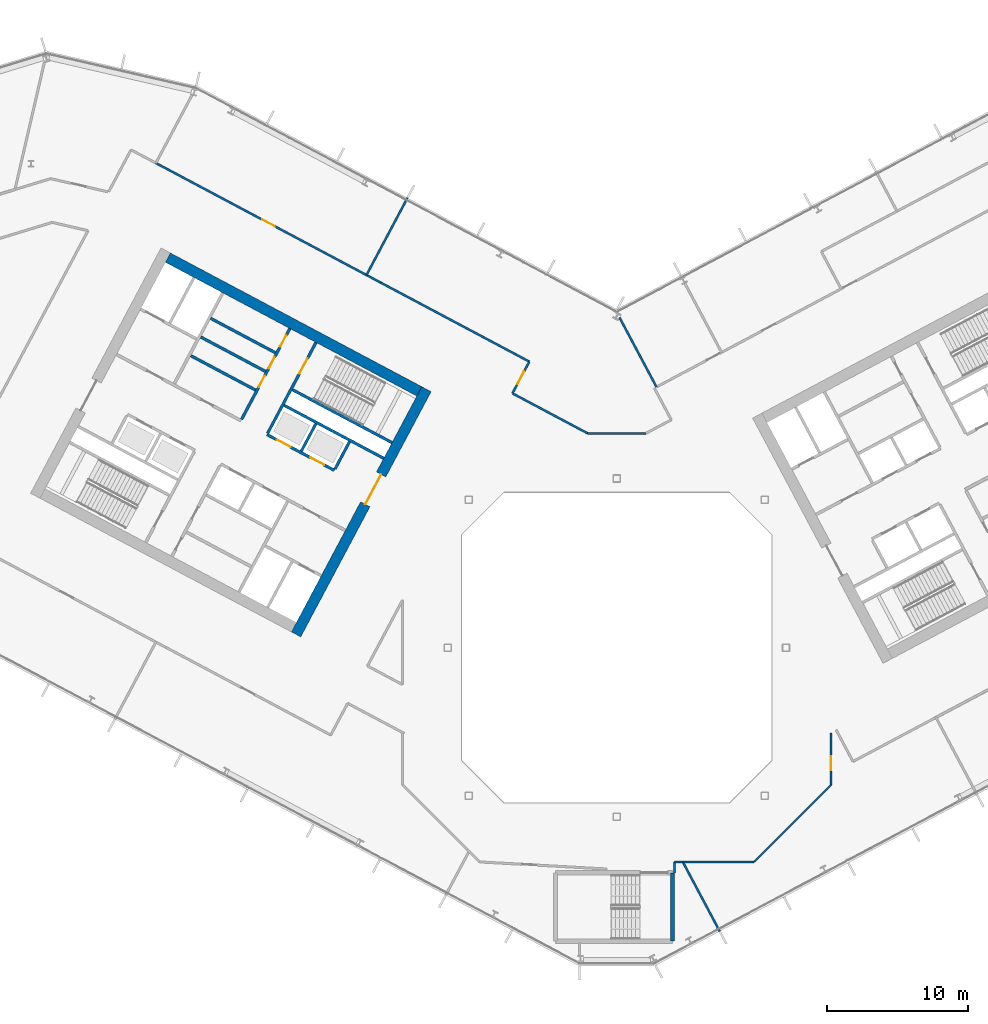
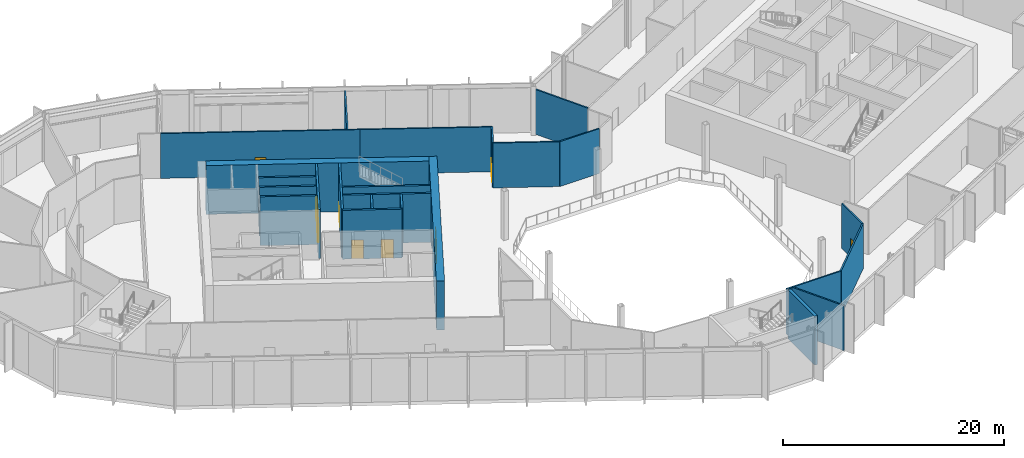
# One storey, part 15 of 31: 26 walls, 10 doors, 10 openings.
"""IFC4 building model written with IfcOpenShell, lengths in metres."""

from ifc_helpers import new_model, si_unit, direction, frame, frame_2d, origin, place, context, subcontext, project, spatial, rectangle, extrude, material, layer, layer_set, type_object, element, fill, save


model = new_model("IFC4")

# Units and contexts
model_context = context("Model", 3, precision=1e-05, world=origin(), true_north=direction((0.0, 1.0)))
body_context = subcontext(model_context, "Body", "Model", "MODEL_VIEW")
ifc_project = project(units=[si_unit("LENGTHUNIT", "METRE"), si_unit("AREAUNIT", "SQUARE_METRE"), si_unit("VOLUMEUNIT", "CUBIC_METRE"), si_unit("PLANEANGLEUNIT", "RADIAN"), si_unit("MASSUNIT", "GRAM", prefix="KILO")], contexts=[model_context])

# Site, building, storey
site_placement = place(None, origin())
site = spatial("IfcSite", under=ifc_project, at=site_placement, CompositionType="ELEMENT")
building_placement = place(site_placement, origin())
building = spatial("IfcBuilding", under=site, at=building_placement, Name="Cormorant Relay Tower", CompositionType="ELEMENT")
storey_placement = place(building_placement, frame((0.0, 0.0, 178.199951171875)))
storey = spatial("IfcBuildingStorey", under=building, at=storey_placement, Name="L38", CompositionType="ELEMENT", Elevation=178.199951171875)

# Walls
ifc_material_1 = material(Name="Concrete 40 MPa", Category="concrete")
ifc_layer_1 = layer(ifc_material_1, 0.199951171875)
ifc_layer_set_1 = layer_set([ifc_layer_1], Name="Core internal wall 200")
wall_type_1 = type_object("IfcWallType", Name="Core internal wall 200", PredefinedType="SOLIDWALL", material=ifc_layer_set_1)
wall_1_placement = place(storey_placement, frame((-21.34375, 15.87890625, 0.0), z_axis=(0.0, 0.0, 1.0), x_axis=(-0.4694473164, -0.882960484464, 0.0)))
element("IfcWall", 1, at=wall_1_placement, inside=storey, type_object=wall_type_1, Name="L38 core A shaft and room wall", PredefinedType="SOLIDWALL", context=body_context, shape_type="SweptSolid", body=[
    extrude(rectangle(XDim=2.199951171875, YDim=0.199951171875, at=frame_2d((1.10009765625, 0.0))), origin(), (0.0, 0.0, 1.0), 5.400146484375),
])
wall_2_placement = place(storey_placement, frame((-24.214599609375, 20.91650390625, 0.0), z_axis=(0.0, 0.0, 1.0), x_axis=(-0.882964314875, 0.469440111896, 0.0)))
element("IfcWall", 2, at=wall_2_placement, inside=storey, type_object=wall_type_1, Name="L38 core A shaft and room wall", PredefinedType="SOLIDWALL", context=body_context, shape_type="SweptSolid", body=[
    extrude(rectangle(XDim=5.2001953125, YDim=0.199951171875, at=frame_2d((2.60009765625, 0.0))), origin(), (0.0, 0.0, 1.0), 5.400146484375),
])
wall_3_placement = place(storey_placement, frame((-24.9189453125, 19.592041015625, 0.0), z_axis=(0.0, 0.0, 1.0), x_axis=(-0.882953967957, 0.469459572775, 0.0)))
element("IfcWall", 3, at=wall_3_placement, inside=storey, type_object=wall_type_1, Name="L38 core A shaft and room wall", PredefinedType="SOLIDWALL", context=body_context, shape_type="SweptSolid", body=[
    extrude(rectangle(XDim=5.199951171875, YDim=0.199951171875, at=frame_2d((2.60009765625, 0.0))), origin(), (0.0, 0.0, 1.0), 5.400146484375),
])
ifc_material_2 = material(Name="Concrete 50 MPa", Category="concrete")
ifc_layer_2 = layer(ifc_material_2, 0.199951171875)
ifc_layer_set_2 = layer_set([ifc_layer_2], Name="Core shaft wall 200")
wall_type_2 = type_object("IfcWallType", Name="Core shaft wall 200", PredefinedType="SHEAR", material=ifc_layer_set_2)
wall_4_placement = place(storey_placement, frame((-18.959716796875, 14.611328125, 0.0), z_axis=(0.0, 0.0, 1.0), x_axis=(-0.4694473164, -0.882960484464, 0.0)))
element("IfcWall", 4, at=wall_4_placement, inside=storey, type_object=wall_type_2, Name="L38 core A shaft wall", PredefinedType="SHEAR", context=body_context, shape_type="SweptSolid", body=[
    extrude(rectangle(XDim=2.199951171875, YDim=0.199951171875, at=frame_2d((1.10009765625, 0.0))), origin(), (0.0, 0.0, 1.0), 5.400146484375),
])

# Wall, opening, door
wall_5_placement = place(storey_placement, frame((-21.333251953125, 21.6494140625, 0.0), z_axis=(0.0, 0.0, 1.0), x_axis=(-0.469494272526, -0.882935517501, 0.0)))
wall_5 = element("IfcWall", 5, at=wall_5_placement, inside=storey, type_object=wall_type_2, Name="L38 core A shaft wall", PredefinedType="SHEAR", context=body_context, shape_type="SweptSolid", body=[
    extrude(rectangle(XDim=7.2998046875, YDim=0.199951171875, at=frame_2d((3.64990234375, 0.0))), origin(), (0.0, 0.0, 1.0), 5.400146484375),
])
opening_1_placement = place(wall_5_placement, frame((1.300048828125, 0.0, 0.0)))
opening_1 = element("IfcOpeningElement", 6, at=opening_1_placement, cuts=wall_5, Name="Opening CDB-019", PredefinedType="OPENING", context=body_context, shape_type="SweptSolid", body=[
    extrude(rectangle(XDim=1.199951171875, YDim=2.10009765625, at=frame_2d((0.60009765625, 1.050048828125))), frame((0.0, 0.10986328125, 0.0), z_axis=(0.0, -1.0, 0.0), x_axis=(1.0, 0.0, 0.0)), (0.0, 0.0, 1.0), 0.219970703125),
])
ifc_material_3 = material(Name="Steel fire door", Category="steel")
door_type_1 = type_object("IfcDoorType", Name="Core stair door 1200x2100", OperationType="SINGLE_SWING_LEFT", PredefinedType="DOOR", material=ifc_material_3)
door_1_placement = place(opening_1_placement, origin())
door_1 = element("IfcDoor", 7, at=door_1_placement, inside=storey, type_object=door_type_1, Name="Core stair door 1200x2100", OperationType="SINGLE_SWING_RIGHT", OverallHeight=2.10009765625, OverallWidth=1.199951171875, PredefinedType="DOOR", context=body_context, shape_type="SweptSolid", body=[
    extrude(rectangle(XDim=1.199951171875, YDim=2.10009765625, at=frame_2d((0.60009765625, 1.050048828125))), frame((0.0, 0.02490234375, 0.0), z_axis=(0.0, -1.0, 0.0), x_axis=(1.0, 0.0, 0.0)), (0.0, 0.0, 1.0), 0.050048828125),
])
fill(opening_1, door_1)

# Wall, openings, doors
wall_6_placement = place(storey_placement, frame((-23.1875, 22.635498046875, 0.0), z_axis=(0.0, 0.0, 1.0), x_axis=(-0.469454336211, -0.882956752176, 0.0)))
wall_6 = element("IfcWall", 8, at=wall_6_placement, inside=storey, type_object=wall_type_2, Name="L38 core A shaft wall", PredefinedType="SHEAR", context=body_context, shape_type="SweptSolid", body=[
    extrude(rectangle(XDim=7.300048828125, YDim=0.199951171875, at=frame_2d((3.64990234375, 0.0))), origin(), (0.0, 0.0, 1.0), 5.400146484375),
])
opening_2_placement = place(wall_6_placement, frame((0.550048828125, 0.0, 0.0)))
opening_2 = element("IfcOpeningElement", 9, at=opening_2_placement, cuts=wall_6, Name="Opening CDD-071", PredefinedType="OPENING", context=body_context, shape_type="SweptSolid", body=[
    extrude(rectangle(XDim=0.89990234375, YDim=2.10009765625, at=frame_2d((0.449951171875, 1.050048828125))), frame((0.0, 0.10986328125, 0.0), z_axis=(0.0, -1.0, 0.0), x_axis=(1.0, 0.0, 0.0)), (0.0, 0.0, 1.0), 0.219970703125),
])
opening_3_placement = place(wall_6_placement, frame((2.300048828125, 0.0, 0.0)))
opening_3 = element("IfcOpeningElement", 10, at=opening_3_placement, cuts=wall_6, Name="Opening CDD-072", PredefinedType="OPENING", context=body_context, shape_type="SweptSolid", body=[
    extrude(rectangle(XDim=0.89990234375, YDim=2.10009765625, at=frame_2d((0.449951171875, 1.050048828125))), frame((0.0, 0.10986328125, 0.0), z_axis=(0.0, -1.0, 0.0), x_axis=(1.0, 0.0, 0.0)), (0.0, 0.0, 1.0), 0.219970703125),
])
opening_4_placement = place(wall_6_placement, frame((3.800048828125, 0.0, 0.0)))
opening_4 = element("IfcOpeningElement", 11, at=opening_4_placement, cuts=wall_6, Name="Opening CDD-073", PredefinedType="OPENING", context=body_context, shape_type="SweptSolid", body=[
    extrude(rectangle(XDim=0.89990234375, YDim=2.10009765625, at=frame_2d((0.449951171875, 1.050048828125))), frame((0.0, 0.10986328125, 0.0), z_axis=(0.0, -1.0, 0.0), x_axis=(1.0, 0.0, 0.0)), (0.0, 0.0, 1.0), 0.219970703125),
])
ifc_material_4 = material(Name="Steel fire door", Category="steel")
door_type_2 = type_object("IfcDoorType", Name="Core room door 900x2100", OperationType="SINGLE_SWING_LEFT", PredefinedType="DOOR", material=ifc_material_4)
door_2_placement = place(opening_2_placement, origin())
door_2 = element("IfcDoor", 12, at=door_2_placement, inside=storey, type_object=door_type_2, Name="Core room door 900x2100", OperationType="SINGLE_SWING_LEFT", OverallHeight=2.10009765625, OverallWidth=0.89990234375, PredefinedType="DOOR", context=body_context, shape_type="SweptSolid", body=[
    extrude(rectangle(XDim=0.89990234375, YDim=2.10009765625, at=frame_2d((0.449951171875, 1.050048828125))), frame((0.0, 0.02490234375, 0.0), z_axis=(0.0, -1.0, 0.0), x_axis=(1.0, 0.0, 0.0)), (0.0, 0.0, 1.0), 0.050048828125),
])
fill(opening_2, door_2)
door_3_placement = place(opening_3_placement, origin())
door_3 = element("IfcDoor", 13, at=door_3_placement, inside=storey, type_object=door_type_2, Name="Core room door 900x2100", OperationType="SINGLE_SWING_LEFT", OverallHeight=2.10009765625, OverallWidth=0.89990234375, PredefinedType="DOOR", context=body_context, shape_type="SweptSolid", body=[
    extrude(rectangle(XDim=0.89990234375, YDim=2.10009765625, at=frame_2d((0.449951171875, 1.050048828125))), frame((0.0, 0.02490234375, 0.0), z_axis=(0.0, -1.0, 0.0), x_axis=(1.0, 0.0, 0.0)), (0.0, 0.0, 1.0), 0.050048828125),
])
fill(opening_3, door_3)
door_4_placement = place(opening_4_placement, frame((0.89990234375, 0.0, 0.0), z_axis=(0.0, 0.0, 1.0), x_axis=(-1.0, 0.0, 0.0)))
door_4 = element("IfcDoor", 14, at=door_4_placement, inside=storey, type_object=door_type_2, Name="Core room door 900x2100", OperationType="SINGLE_SWING_RIGHT", OverallHeight=2.10009765625, OverallWidth=0.89990234375, PredefinedType="DOOR", context=body_context, shape_type="SweptSolid", body=[
    extrude(rectangle(XDim=0.89990234375, YDim=2.10009765625, at=frame_2d((0.449951171875, 1.050048828125))), frame((0.0, 0.02490234375, 0.0), z_axis=(0.0, -1.0, 0.0), x_axis=(1.0, 0.0, 0.0)), (0.0, 0.0, 1.0), 0.050048828125),
])
fill(opening_4, door_4)

# Walls
wall_7_placement = place(storey_placement, frame((-15.94189453125, 14.53564453125, 0.0), z_axis=(0.0, 0.0, 1.0), x_axis=(-0.882946947542, 0.469472776449, 0.0)))
element("IfcWall", 15, at=wall_7_placement, inside=storey, type_object=wall_type_2, Name="L38 core A shaft wall", PredefinedType="SHEAR", context=body_context, shape_type="SweptSolid", body=[
    extrude(rectangle(XDim=8.000244140625, YDim=0.199951171875, at=frame_2d((4.0, 0.0))), origin(), (0.0, 0.0, 1.0), 5.400146484375),
])
wall_8_placement = place(storey_placement, frame((-16.52880859375, 13.43212890625, 0.0), z_axis=(0.0, 0.0, 1.0), x_axis=(-0.88295287151, 0.469461634952, 0.0)))
element("IfcWall", 16, at=wall_8_placement, inside=storey, type_object=wall_type_2, Name="L38 core A shaft wall", PredefinedType="SHEAR", context=body_context, shape_type="SweptSolid", body=[
    extrude(rectangle(XDim=7.999755859375, YDim=0.199951171875, at=frame_2d((4.0, 0.0))), origin(), (0.0, 0.0, 1.0), 5.400146484375),
])
wall_9_placement = place(storey_placement, frame((-25.623046875, 18.267578125, 0.0), z_axis=(0.0, 0.0, 1.0), x_axis=(-0.882953967957, 0.469459572775, 0.0)))
element("IfcWall", 17, at=wall_9_placement, inside=storey, type_object=wall_type_2, Name="L38 core A shaft wall", PredefinedType="SHEAR", context=body_context, shape_type="SweptSolid", body=[
    extrude(rectangle(XDim=5.199951171875, YDim=0.199951171875, at=frame_2d((2.60009765625, 0.0))), origin(), (0.0, 0.0, 1.0), 5.400146484375),
])

# Wall, openings, doors
wall_10_placement = place(storey_placement, frame((-20.03955078125, 12.58056640625, 0.0), z_axis=(0.0, 0.0, 1.0), x_axis=(-0.882942972946, 0.469480251476, 0.0)))
wall_10 = element("IfcWall", 18, at=wall_10_placement, inside=storey, type_object=wall_type_2, Name="L38 core A shaft wall", PredefinedType="SHEAR", context=body_context, shape_type="SweptSolid", body=[
    extrude(rectangle(XDim=5.39990234375, YDim=0.199951171875, at=frame_2d((2.699951171875, 0.0))), origin(), (0.0, 0.0, 1.0), 5.400146484375),
])
opening_5_placement = place(wall_10_placement, frame((0.800048828125, 0.0, 0.0)))
opening_5 = element("IfcOpeningElement", 19, at=opening_5_placement, cuts=wall_10, Name="Opening LD1-053", PredefinedType="OPENING", context=body_context, shape_type="SweptSolid", body=[
    extrude(rectangle(XDim=1.10009765625, YDim=2.10009765625, at=frame_2d((0.550048828125, 1.050048828125))), frame((0.0, 0.10986328125, 0.0), z_axis=(0.0, -1.0, 0.0), x_axis=(1.0, 0.0, 0.0)), (0.0, 0.0, 1.0), 0.219970703125),
])
opening_6_placement = place(wall_10_placement, frame((3.5, 0.0, 0.0)))
opening_6 = element("IfcOpeningElement", 20, at=opening_6_placement, cuts=wall_10, Name="Opening LD1-054", PredefinedType="OPENING", context=body_context, shape_type="SweptSolid", body=[
    extrude(rectangle(XDim=1.10009765625, YDim=2.10009765625, at=frame_2d((0.550048828125, 1.050048828125))), frame((0.0, 0.10986328125, 0.0), z_axis=(0.0, -1.0, 0.0), x_axis=(1.0, 0.0, 0.0)), (0.0, 0.0, 1.0), 0.219970703125),
])
ifc_material_5 = material(Name="Stainless steel 316", Category="steel")
door_type_3 = type_object("IfcDoorType", Name="Lift landing door 1100x2100", OperationType="DOUBLE_DOOR_SLIDING", PredefinedType="DOOR", material=ifc_material_5)
door_5_placement = place(opening_5_placement, origin())
door_5 = element("IfcDoor", 21, at=door_5_placement, inside=storey, type_object=door_type_3, Name="MR3 landing door", OperationType="DOUBLE_DOOR_SLIDING", OverallHeight=2.10009765625, OverallWidth=1.10009765625, PredefinedType="DOOR", context=body_context, shape_type="SweptSolid", body=[
    extrude(rectangle(XDim=1.10009765625, YDim=2.10009765625, at=frame_2d((0.550048828125, 1.050048828125))), frame((0.0, 0.02490234375, 0.0), z_axis=(0.0, -1.0, 0.0), x_axis=(1.0, 0.0, 0.0)), (0.0, 0.0, 1.0), 0.050048828125),
])
fill(opening_5, door_5)
door_6_placement = place(opening_6_placement, origin())
door_6 = element("IfcDoor", 22, at=door_6_placement, inside=storey, type_object=door_type_3, Name="MR4 landing door", OperationType="DOUBLE_DOOR_SLIDING", OverallHeight=2.10009765625, OverallWidth=1.10009765625, PredefinedType="DOOR", context=body_context, shape_type="SweptSolid", body=[
    extrude(rectangle(XDim=1.10009765625, YDim=2.10009765625, at=frame_2d((0.550048828125, 1.050048828125))), frame((0.0, 0.02490234375, 0.0), z_axis=(0.0, -1.0, 0.0), x_axis=(1.0, 0.0, 0.0)), (0.0, 0.0, 1.0), 0.050048828125),
])
fill(opening_6, door_6)

# Wall, opening, door
ifc_material_6 = material(Name="Concrete 60 MPa", Category="concrete")
ifc_layer_3 = layer(ifc_material_6, 0.75)
ifc_layer_set_3 = layer_set([ifc_layer_3], Name="Core wall 750")
wall_type_3 = type_object("IfcWallType", Name="Core wall 750", PredefinedType="SHEAR", material=ifc_layer_set_3)
wall_11_placement = place(storey_placement, frame((-13.498291015625, 18.3330078125, 0.0), z_axis=(0.0, 0.0, 1.0), x_axis=(-0.469469918705, -0.88294846703, 0.0)))
wall_11 = element("IfcWall", 23, at=wall_11_placement, inside=storey, type_object=wall_type_3, Name="L38 core A wall", PredefinedType="SHEAR", context=body_context, shape_type="SweptSolid", body=[
    extrude(rectangle(XDim=19.699951171875, YDim=0.75, at=frame_2d((9.85009765625, 0.0))), origin(), (0.0, 0.0, 1.0), 5.400146484375),
])
opening_7_placement = place(wall_11_placement, frame((6.85009765625, 0.0, 0.0)))
opening_7 = element("IfcOpeningElement", 24, at=opening_7_placement, cuts=wall_11, Name="Opening CDA-032", PredefinedType="OPENING", context=body_context, shape_type="SweptSolid", body=[
    extrude(rectangle(XDim=2.39990234375, YDim=2.39990234375, at=frame_2d((1.199951171875, 1.199951171875))), frame((0.0, 0.385009765625, 0.0), z_axis=(0.0, -1.0, 0.0), x_axis=(1.0, 0.0, 0.0)), (0.0, 0.0, 1.0), 0.77001953125),
])
ifc_material_7 = material(Name="Steel fire door", Category="steel")
door_type_4 = type_object("IfcDoorType", Name="Core lobby door 2400x2400", OperationType="DOUBLE_DOOR_SINGLE_SWING", PredefinedType="DOOR", material=ifc_material_7)
door_7_placement = place(opening_7_placement, frame((2.39990234375, 0.0, 0.0), z_axis=(0.0, 0.0, 1.0), x_axis=(-1.0, 0.0, 0.0)))
door_7 = element("IfcDoor", 25, at=door_7_placement, inside=storey, type_object=door_type_4, Name="Core lobby door 2400x2400", OperationType="DOUBLE_DOOR_SINGLE_SWING", OverallHeight=2.39990234375, OverallWidth=2.39990234375, PredefinedType="DOOR", context=body_context, shape_type="SweptSolid", body=[
    extrude(rectangle(XDim=2.39990234375, YDim=2.39990234375, at=frame_2d((1.199951171875, 1.199951171875))), frame((0.0, 0.02490234375, 0.0), z_axis=(0.0, -1.0, 0.0), x_axis=(1.0, 0.0, 0.0)), (0.0, 0.0, 1.0), 0.050048828125),
])
fill(opening_7, door_7)

# Wall
wall_12_placement = place(storey_placement, frame((-14.00537109375, 18.177978515625, 0.0), z_axis=(0.0, 0.0, 1.0), x_axis=(-0.88295010195, 0.469466843842, 0.0)))
element("IfcWall", 26, at=wall_12_placement, inside=storey, type_object=wall_type_3, Name="L38 core A wall", PredefinedType="SHEAR", context=body_context, shape_type="SweptSolid", body=[
    extrude(rectangle(XDim=20.199951171875, YDim=0.75, at=frame_2d((10.10009765625, 0.0))), origin(), (0.0, 0.0, 1.0), 5.400146484375),
])

# Wall, opening, door
ifc_material_8 = material(Name="Gypsum board fire partition")
ifc_layer_4 = layer(ifc_material_8, 0.14990234375)
ifc_layer_set_4 = layer_set([ifc_layer_4], Name="Corridor partition 150 EI 60")
wall_type_4 = type_object("IfcWallType", Name="Corridor partition 150 EI 60", PredefinedType="PARTITIONING", material=ifc_layer_set_4)
wall_13_placement = place(storey_placement, frame((-32.694091796875, 34.3720703125, 0.0), z_axis=(0.0, 0.0, 1.0), x_axis=(0.882941399111, -0.469483211346, 0.0)))
wall_13 = element("IfcWall", 27, at=wall_13_placement, inside=storey, type_object=wall_type_4, Name="wall/L38/part/022", PredefinedType="PARTITIONING", context=body_context, shape_type="SweptSolid", body=[
    extrude(rectangle(XDim=18.067138671875, YDim=0.14990234375, at=frame_2d((9.03369140625, 0.0))), origin(), (0.0, 0.0, 1.0), 4.949951171875),
])
opening_8_placement = place(wall_13_placement, frame((8.550048828125, 0.0, 0.0)))
opening_8 = element("IfcOpeningElement", 28, at=opening_8_placement, cuts=wall_13, Name="Opening DS-097", PredefinedType="OPENING", context=body_context, shape_type="SweptSolid", body=[
    extrude(rectangle(XDim=1.0, YDim=2.10009765625, at=frame_2d((0.5, 1.050048828125))), frame((0.0, 0.0849609375, 0.0), z_axis=(0.0, -1.0, 0.0), x_axis=(1.0, 0.0, 0.0)), (0.0, 0.0, 1.0), 0.169921875),
])
ifc_material_9 = material(Name="Timber door leaf", Category="wood")
door_type_5 = type_object("IfcDoorType", Name="Suite door 1000x2100", OperationType="SINGLE_SWING_LEFT", PredefinedType="DOOR", material=ifc_material_9)
door_8_placement = place(opening_8_placement, origin())
door_8 = element("IfcDoor", 29, at=door_8_placement, inside=storey, type_object=door_type_5, Name="door/L38/010", OperationType="SINGLE_SWING_RIGHT", OverallHeight=2.10009765625, OverallWidth=1.0, PredefinedType="DOOR", context=body_context, shape_type="SweptSolid", body=[
    extrude(rectangle(XDim=1.0, YDim=2.10009765625, at=frame_2d((0.5, 1.050048828125))), frame((0.0, 0.02490234375, 0.0), z_axis=(0.0, -1.0, 0.0), x_axis=(1.0, 0.0, 0.0)), (0.0, 0.0, 1.0), 0.050048828125),
])
fill(opening_8, door_8)

wall_14_placement = place(storey_placement, frame((-7.39599609375, 18.041015625, 0.0), z_axis=(0.0, 0.0, 1.0), x_axis=(0.469117793388, 0.883135604495, 0.0)))
wall_14 = element("IfcWall", 30, at=wall_14_placement, inside=storey, type_object=wall_type_4, Name="wall/L38/part/028", PredefinedType="PARTITIONING", context=body_context, shape_type="SweptSolid", body=[
    extrude(rectangle(XDim=2.543212890625, YDim=0.14990234375, at=frame_2d((1.271484375, 0.0))), origin(), (0.0, 0.0, 1.0), 4.949951171875),
])
opening_9_placement = place(wall_14_placement, frame((0.75, 0.0, 0.0)))
opening_9 = element("IfcOpeningElement", 31, at=opening_9_placement, cuts=wall_14, Name="Opening DS-096", PredefinedType="OPENING", context=body_context, shape_type="SweptSolid", body=[
    extrude(rectangle(XDim=1.0, YDim=2.10009765625, at=frame_2d((0.5, 1.050048828125))), frame((0.0, 0.0849609375, 0.0), z_axis=(0.0, -1.0, 0.0), x_axis=(1.0, 0.0, 0.0)), (0.0, 0.0, 1.0), 0.169921875),
])
door_9_placement = place(opening_9_placement, frame((1.0, 0.0, 0.0), z_axis=(0.0, 0.0, 1.0), x_axis=(-1.0, 0.0, 0.0)))
door_9 = element("IfcDoor", 32, at=door_9_placement, inside=storey, type_object=door_type_5, Name="door/L38/009", OperationType="SINGLE_SWING_RIGHT", OverallHeight=2.10009765625, OverallWidth=1.0, PredefinedType="DOOR", context=body_context, shape_type="SweptSolid", body=[
    extrude(rectangle(XDim=1.0, YDim=2.10009765625, at=frame_2d((0.5, 1.050048828125))), frame((0.0, 0.02490234375, 0.0), z_axis=(0.0, -1.0, 0.0), x_axis=(1.0, 0.0, 0.0)), (0.0, 0.0, 1.0), 0.050048828125),
])
fill(opening_9, door_9)

# Walls
wall_15_placement = place(storey_placement, frame((-16.741943359375, 25.889892578125, 0.0), z_axis=(0.0, 0.0, 1.0), x_axis=(0.882955727844, -0.469456262784, 0.0)))
element("IfcWall", 33, at=wall_15_placement, inside=storey, type_object=wall_type_4, Name="wall/L38/part/029", PredefinedType="PARTITIONING", context=body_context, shape_type="SweptSolid", body=[
    extrude(rectangle(XDim=11.937255859375, YDim=0.14990234375, at=frame_2d((5.96875, 0.0))), origin(), (0.0, 0.0, 1.0), 4.949951171875),
])
wall_16_placement = place(storey_placement, frame((-7.39892578125, 18.034912109375, 0.0), z_axis=(0.0, 0.0, 1.0), x_axis=(0.882911979877, -0.469538534936, 0.0)))
element("IfcWall", 34, at=wall_16_placement, inside=storey, type_object=wall_type_4, Name="wall/L38/part/035", PredefinedType="PARTITIONING", context=body_context, shape_type="SweptSolid", body=[
    extrude(rectangle(XDim=6.037841796875, YDim=0.14990234375, at=frame_2d((3.01904296875, 0.0))), origin(), (0.0, 0.0, 1.0), 4.949951171875),
])
wall_17_placement = place(storey_placement, frame((-2.068115234375, 15.199951171875, 0.0), z_axis=(0.0, 0.0, 1.0), x_axis=(1.0, 0.0, 0.0)))
element("IfcWall", 35, at=wall_17_placement, inside=storey, type_object=wall_type_4, Name="wall/L38/part/036", PredefinedType="PARTITIONING", context=body_context, shape_type="SweptSolid", body=[
    extrude(rectangle(XDim=4.13623046875, YDim=0.14990234375, at=frame_2d((2.068115234375, 0.0))), origin(), (0.0, 0.0, 1.0), 4.949951171875),
])
wall_18_placement = place(storey_placement, frame((4.7099609375, -15.199951171875, 0.0), z_axis=(0.0, 0.0, 1.0), x_axis=(-1.0, 0.0, 0.0)))
element("IfcWall", 36, at=wall_18_placement, inside=storey, type_object=wall_type_4, Name="wall/L38/part/045", PredefinedType="PARTITIONING", context=body_context, shape_type="SweptSolid", body=[
    extrude(rectangle(XDim=0.60986328125, YDim=0.14990234375, at=frame_2d((0.304931640625, 0.0))), origin(), (0.0, 0.0, 1.0), 4.949951171875),
])
wall_19_placement = place(storey_placement, frame((4.10009765625, -15.199951171875, 0.0), z_axis=(0.0, 0.0, 1.0), x_axis=(0.0, -1.0, 0.0)))
element("IfcWall", 37, at=wall_19_placement, inside=storey, type_object=wall_type_4, Name="wall/L38/part/046", PredefinedType="PARTITIONING", context=body_context, shape_type="SweptSolid", body=[
    extrude(rectangle(XDim=0.775146484375, YDim=0.14990234375, at=frame_2d((0.3876953125, 0.0))), origin(), (0.0, 0.0, 1.0), 4.949951171875),
])

# Wall, opening, door
wall_20_placement = place(storey_placement, frame((15.199951171875, -6.0439453125, 0.0), z_axis=(0.0, 0.0, 1.0), x_axis=(0.0, -1.0, 0.0)))
wall_20 = element("IfcWall", 38, at=wall_20_placement, inside=storey, type_object=wall_type_4, Name="wall/L38/part/047", PredefinedType="PARTITIONING", context=body_context, shape_type="SweptSolid", body=[
    extrude(rectangle(XDim=3.696044921875, YDim=0.14990234375, at=frame_2d((1.84814453125, 0.0))), origin(), (0.0, 0.0, 1.0), 4.949951171875),
])
opening_10_placement = place(wall_20_placement, frame((1.64990234375, 0.0, 0.0)))
opening_10 = element("IfcOpeningElement", 39, at=opening_10_placement, cuts=wall_20, Name="Opening DS-090", PredefinedType="OPENING", context=body_context, shape_type="SweptSolid", body=[
    extrude(rectangle(XDim=1.0, YDim=2.10009765625, at=frame_2d((0.5, 1.050048828125))), frame((0.0, 0.0849609375, 0.0), z_axis=(0.0, -1.0, 0.0), x_axis=(1.0, 0.0, 0.0)), (0.0, 0.0, 1.0), 0.169921875),
])
door_10_placement = place(opening_10_placement, origin())
door_10 = element("IfcDoor", 40, at=door_10_placement, inside=storey, type_object=door_type_5, Name="door/L38/002", OperationType="SINGLE_SWING_LEFT", OverallHeight=2.10009765625, OverallWidth=1.0, PredefinedType="DOOR", context=body_context, shape_type="SweptSolid", body=[
    extrude(rectangle(XDim=1.0, YDim=2.10009765625, at=frame_2d((0.5, 1.050048828125))), frame((0.0, 0.02490234375, 0.0), z_axis=(0.0, -1.0, 0.0), x_axis=(1.0, 0.0, 0.0)), (0.0, 0.0, 1.0), 0.050048828125),
])
fill(opening_10, door_10)

# Walls
wall_21_placement = place(storey_placement, frame((15.199951171875, -9.739990234375, 0.0), z_axis=(0.0, 0.0, 1.0), x_axis=(-0.707106781187, -0.707106781187, 0.0)))
element("IfcWall", 41, at=wall_21_placement, inside=storey, type_object=wall_type_4, Name="wall/L38/part/048", PredefinedType="PARTITIONING", context=body_context, shape_type="SweptSolid", body=[
    extrude(rectangle(XDim=7.721435546875, YDim=0.14990234375, at=frame_2d((3.86083984375, 0.0))), origin(), (0.0, 0.0, 1.0), 4.949951171875),
])
wall_22_placement = place(storey_placement, frame((9.739990234375, -15.199951171875, 0.0), z_axis=(0.0, 0.0, 1.0), x_axis=(-1.0, 0.0, 0.0)))
element("IfcWall", 42, at=wall_22_placement, inside=storey, type_object=wall_type_4, Name="wall/L38/part/049", PredefinedType="PARTITIONING", context=body_context, shape_type="SweptSolid", body=[
    extrude(rectangle(XDim=5.030029296875, YDim=0.14990234375, at=frame_2d((2.51513671875, 0.0))), origin(), (0.0, 0.0, 1.0), 4.949951171875),
])
ifc_material_10 = material(Name="Concrete 50 MPa", Category="concrete")
ifc_layer_5 = layer(ifc_material_10, 0.300048828125)
ifc_layer_set_5 = layer_set([ifc_layer_5], Name="Remote stair wall 300")
wall_type_5 = type_object("IfcWallType", Name="Remote stair wall 300", PredefinedType="SHEAR", material=ifc_layer_set_5)
wall_23_placement = place(storey_placement, frame((3.949951171875, -15.97509765625, 0.0), z_axis=(0.0, 0.0, 1.0), x_axis=(0.0, -1.0, 0.0)))
element("IfcWall", 43, at=wall_23_placement, inside=storey, type_object=wall_type_5, Name="L38 exit stair RK1 wall", PredefinedType="SHEAR", context=body_context, shape_type="SweptSolid", body=[
    extrude(rectangle(XDim=4.849853515625, YDim=0.300048828125, at=frame_2d((2.4248046875, 0.0))), origin(), (0.0, 0.0, 1.0), 5.400146484375),
])
ifc_material_11 = material(Name="Gypsum board partition")
ifc_layer_6 = layer(ifc_material_11, 0.14990234375)
ifc_layer_set_6 = layer_set([ifc_layer_6], Name="Tenant partition 150")
wall_type_6 = type_object("IfcWallType", Name="Tenant partition 150", PredefinedType="PARTITIONING", material=ifc_layer_set_6)
wall_24_placement = place(storey_placement, frame((-14.843994140625, 31.903076171875, 0.0), z_axis=(0.0, 0.0, 1.0), x_axis=(-0.469314518965, -0.883031076627, 0.0)))
element("IfcWall", 44, at=wall_24_placement, inside=storey, type_object=wall_type_6, Name="wall/L38/part/026", PredefinedType="PARTITIONING", context=body_context, shape_type="SweptSolid", body=[
    extrude(rectangle(XDim=6.200439453125, YDim=0.14990234375, at=frame_2d((3.10009765625, 0.0))), origin(), (0.0, 0.0, 1.0), 4.949951171875),
])
wall_25_placement = place(storey_placement, frame((0.19091796875, 23.422119140625, 0.0), z_axis=(0.0, 0.0, 1.0), x_axis=(0.469672354087, -0.882840800941, 0.0)))
element("IfcWall", 45, at=wall_25_placement, inside=storey, type_object=wall_type_6, Name="wall/L38/part/041", PredefinedType="PARTITIONING", context=body_context, shape_type="SweptSolid", body=[
    extrude(rectangle(XDim=5.591064453125, YDim=0.14990234375, at=frame_2d((2.79541015625, 0.0))), origin(), (0.0, 0.0, 1.0), 4.949951171875),
])
wall_26_placement = place(storey_placement, frame((7.303955078125, -20.126953125, 0.0), z_axis=(0.0, 0.0, 1.0), x_axis=(-0.469354625262, 0.883009759711, 0.0)))
element("IfcWall", 46, at=wall_26_placement, inside=storey, type_object=wall_type_6, Name="wall/L38/part/050", PredefinedType="PARTITIONING", context=body_context, shape_type="SweptSolid", body=[
    extrude(rectangle(XDim=5.579833984375, YDim=0.14990234375, at=frame_2d((2.7900390625, 0.0))), origin(), (0.0, 0.0, 1.0), 4.949951171875),
])

save(model, "model.ifc")
